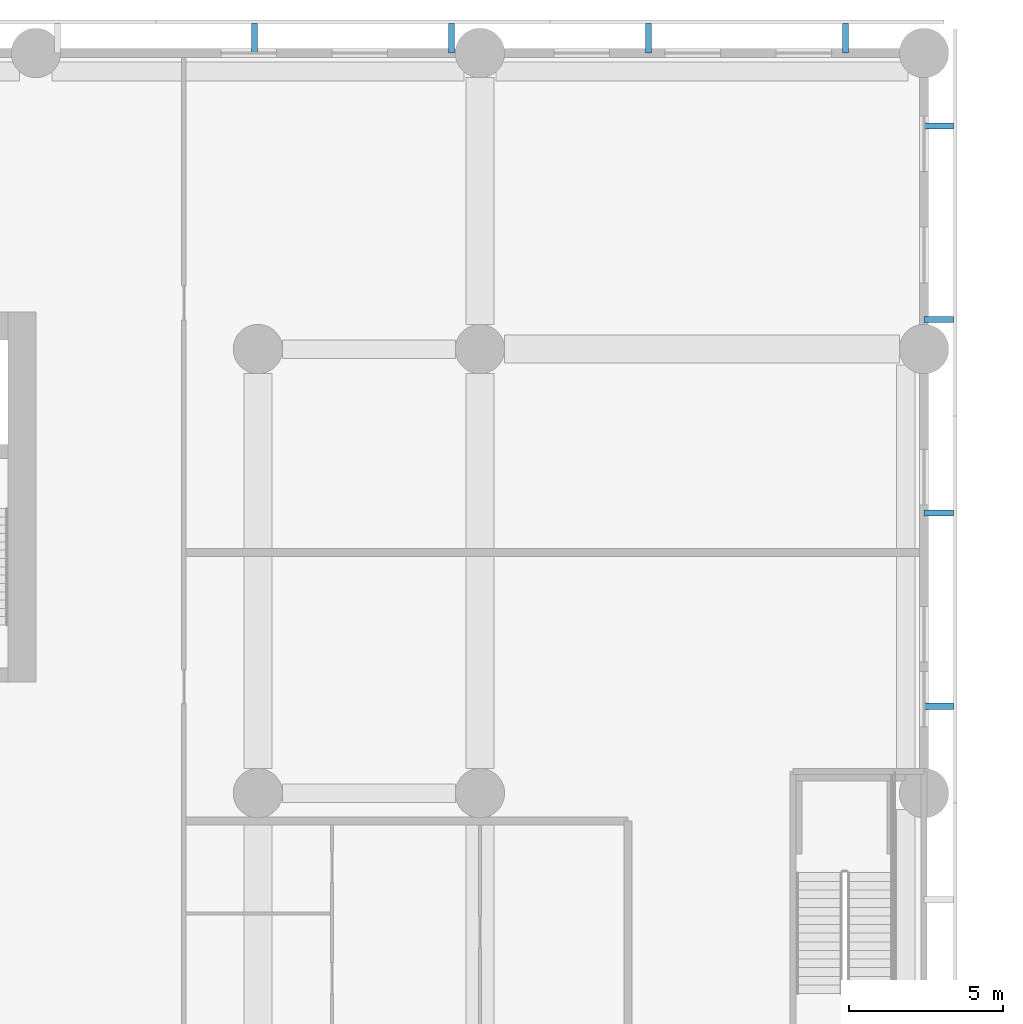
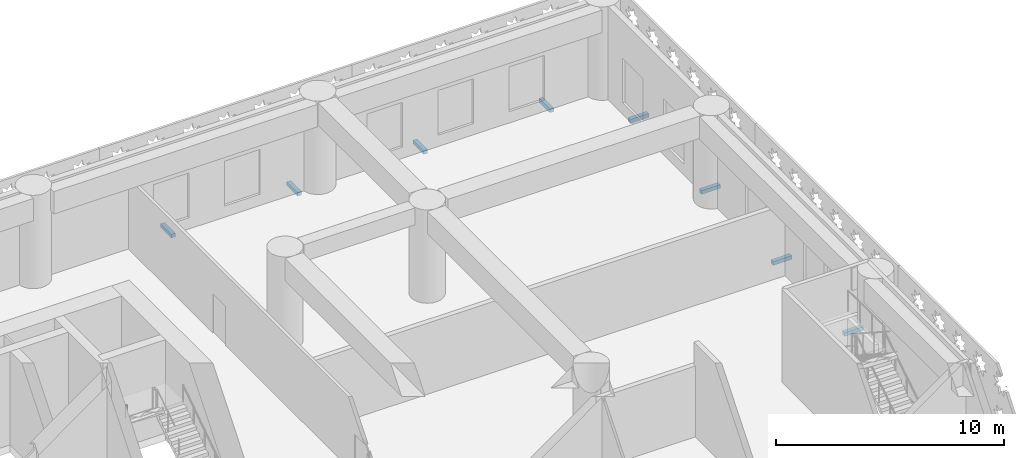
# One storey, part 12 of 30: 8 discrete accessories.
"""IFC4 building model written with IfcOpenShell, lengths in metres."""

from ifc_helpers import new_model, si_unit, direction, frame, origin, origin_2d, place, context, subcontext, project, spatial, rectangle, extrude, source, transform, mapped, element, save


model = new_model("IFC4")

# Units and contexts
model_context = context("Model", 3, precision=1e-05, world=origin(), true_north=direction((0.0, 1.0)))
body_context = subcontext(model_context, "Body", "Model", "MODEL_VIEW")
ifc_project = project(units=[si_unit("LENGTHUNIT", "METRE"), si_unit("AREAUNIT", "SQUARE_METRE"), si_unit("VOLUMEUNIT", "CUBIC_METRE"), si_unit("PLANEANGLEUNIT", "RADIAN"), si_unit("MASSUNIT", "GRAM", prefix="KILO")], contexts=[model_context])

# Site, building, storey
site_placement = place(None, origin())
site = spatial("IfcSite", under=ifc_project, at=site_placement, CompositionType="ELEMENT")
building_placement = place(site_placement, origin())
building = spatial("IfcBuilding", under=site, at=building_placement, Name="Saffron Iwan Residences", CompositionType="ELEMENT")
storey_placement = place(building_placement, frame((0.0, 0.0, 7.800048828125)))
storey = spatial("IfcBuildingStorey", under=building, at=storey_placement, Name="L01", CompositionType="ELEMENT", Elevation=7.800048828125)

# Discrete accessories
shared_shape = source(origin(), body_context, "Body", "SweptSolid", [
    extrude(rectangle(XDim=0.949951171875, YDim=0.199951171875, at=origin_2d()), origin(), (0.0, 0.0, 1.0), 0.199951171875),
])
for number, where, z_axis, x_axis, name in (
    (1, (101.27490234375, 65.215087890625, -0.2998046875), (0.0, 0.0, 1.0), (1.0, 0.0, 0.0), "Screen bracket L01 F1.5.0"),
    (2, (101.27490234375, 71.48779296875, -0.2998046875), (0.0, 0.0, 1.0), (1.0, 0.0, 0.0), "Screen bracket L01 F1.5.1"),
    (3, (101.27490234375, 77.7607421875, -0.2998046875), (0.0, 0.0, 1.0), (1.0, 0.0, 0.0), "Screen bracket L01 F1.6.0"),
    (4, (101.27490234375, 84.03369140625, -0.2998046875), (0.0, 0.0, 1.0), (1.0, 0.0, 0.0), "Screen bracket L01 F1.6.1"),
    (5, (98.255615234375, 86.875, -0.2998046875), (0.0, 0.0, 1.0), (0.0, 1.0, 0.0), "Screen bracket L01 F2.0.0"),
    (6, (91.866943359375, 86.875, -0.2998046875), (0.0, 0.0, 1.0), (0.0, 1.0, 0.0), "Screen bracket L01 F2.0.1"),
    (7, (85.47802734375, 86.875, -0.2998046875), (0.0, 0.0, 1.0), (0.0, 1.0, 0.0), "Screen bracket L01 F2.1.0"),
    (8, (79.08935546875, 86.875, -0.2998046875), (0.0, 0.0, 1.0), (0.0, 1.0, 0.0), "Screen bracket L01 F2.1.1"),
):
    element("IfcDiscreteAccessory", number, at=place(storey_placement, frame(where, z_axis=z_axis, x_axis=x_axis)), inside=storey, Name=name, PredefinedType="BRACKET", context=body_context, shape_type="MappedRepresentation", body=[
        mapped(shared_shape, transform((0.0, 0.0, 0.0))),
    ])

save(model, "model.ifc")
